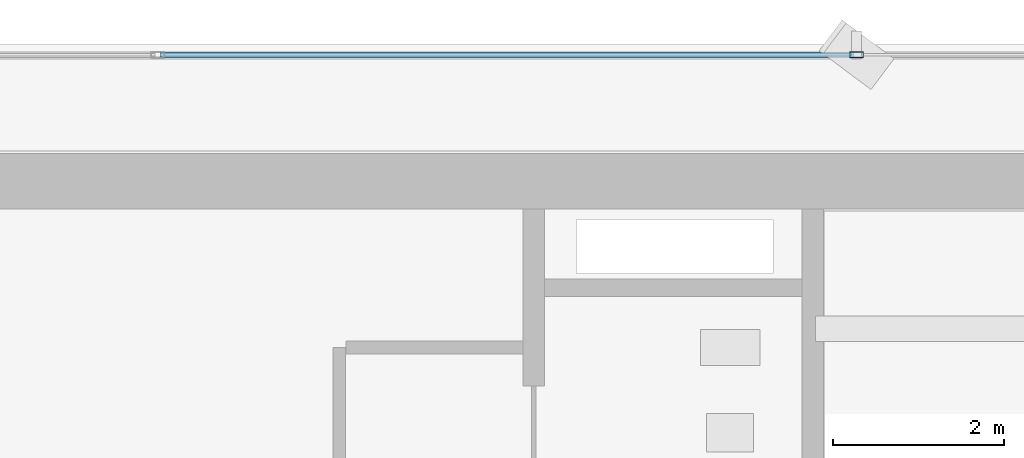
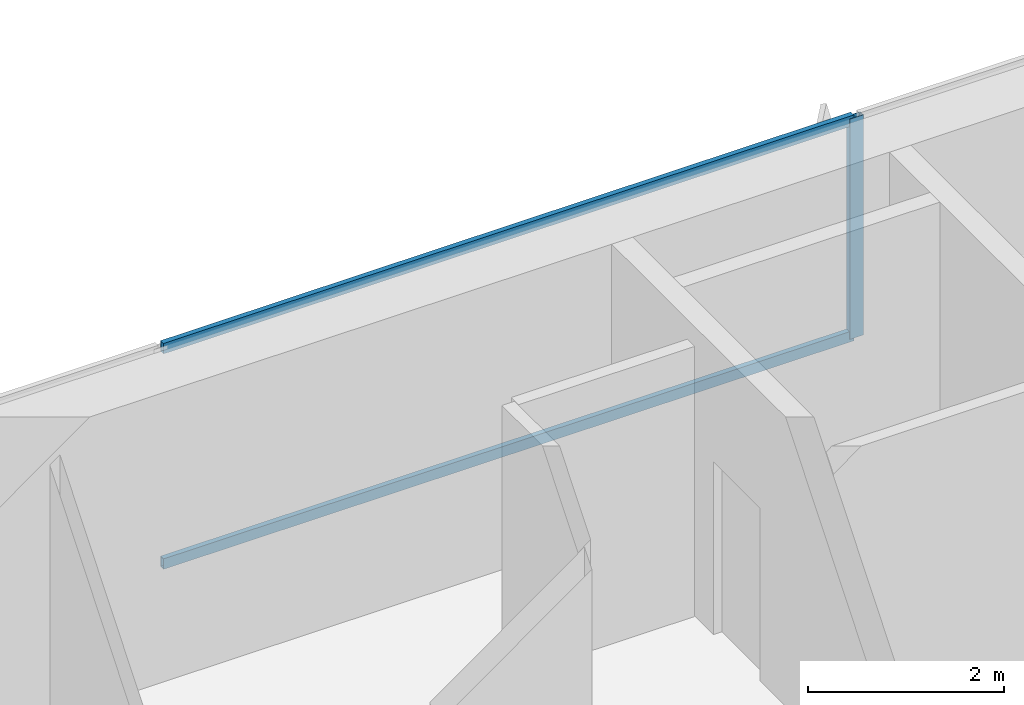
# One storey, part 25 of 36: 3 members, 1 element without a shape of its own.
"""IFC4 building model written with IfcOpenShell, lengths in metres."""

from ifc_helpers import new_model, si_unit, direction, frame, origin, origin_2d, place, context, subcontext, project, spatial, hollow_rectangle, extrude, source, transform, mapped, material, layer, layer_set, material_profile, profile_set, type_object, element, aggregate, save


model = new_model("IFC4")

# Units and contexts
model_context = context("Model", 3, precision=1e-05, world=origin(), true_north=direction((0.0, 1.0)))
body_context = subcontext(model_context, "Body", "Model", "MODEL_VIEW")
ifc_project = project(units=[si_unit("LENGTHUNIT", "METRE"), si_unit("AREAUNIT", "SQUARE_METRE"), si_unit("VOLUMEUNIT", "CUBIC_METRE"), si_unit("PLANEANGLEUNIT", "RADIAN"), si_unit("MASSUNIT", "GRAM", prefix="KILO")], contexts=[model_context])

# Site, building, storey
site_placement = place(None, origin())
site = spatial("IfcSite", under=ifc_project, at=site_placement, CompositionType="ELEMENT")
building_placement = place(site_placement, origin())
building = spatial("IfcBuilding", under=site, at=building_placement, Name="Sumidabori Civic Tower", CompositionType="ELEMENT")
storey_placement = place(building_placement, frame((0.0, 0.0, 113.60009765625)))
storey = spatial("IfcBuildingStorey", under=building, at=storey_placement, Name="L29", CompositionType="ELEMENT", Elevation=113.60009765625)

# Curtain wall, members
ifc_material = material(Name="Anodised Bronze Aluminium AW-6063-T6", Category="aluminium")
ifc_layer = layer(ifc_material, 0.179931640625, Name="Anodised Bronze Aluminium AW-6063-T6")
ifc_layer_set = layer_set([ifc_layer], Name="Anodised Bronze Aluminium AW-6063-T6")
curtain_wall_type = type_object("IfcCurtainWallType", Name="CW-SYS-3", PredefinedType="NOTDEFINED", material=ifc_layer_set)
curtain_wall_placement = place(storey_placement, origin())
curtain_wall = element("IfcCurtainWall", 1, at=curtain_wall_placement, inside=storey, type_object=curtain_wall_type, Name="Curtain Wall CW:L29:R07", PredefinedType="NOTDEFINED")
ifc_material_profile_1 = material_profile(ifc_material, hollow_rectangle(XDim=0.06494140625, YDim=0.159912109375, WallThickness=0.0048828125, at=origin_2d()), Name="ALU MULLION 160x65")
ifc_profile_set_1 = profile_set([ifc_material_profile_1], Name="Anodised Bronze Aluminium AW-6063-T6")
member_type_1 = type_object("IfcMemberType", Name="CW-MUL-160", PredefinedType="MULLION", material=ifc_profile_set_1)
shared_shape_1 = source(origin(), body_context, "Body", "SweptSolid", [
    extrude(hollow_rectangle(XDim=0.06494140625, YDim=0.159912109375, WallThickness=0.0048828125, at=origin_2d()), origin(), (0.0, 0.0, 1.0), 2.739990234375),
])
member_1_placement = place(storey_placement, frame((12.281982421875, 25.280029296875, 0.0), z_axis=(0.0, 0.0, 1.0), x_axis=(0.0, -1.0, 0.0)))
member_1 = element("IfcMember", 2, at=member_1_placement, type_object=member_type_1, Name="CW-3 mullion 2", PredefinedType="MULLION", context=body_context, shape_type="MappedRepresentation", body=[
    mapped(shared_shape_1, transform((0.0, 0.0, 0.0), x_axis=(1.0, 0.0, 0.0), y_axis=(0.0, 1.0, 0.0), z_axis=(0.0, 0.0, 1.0), scale=1.0)),
])
ifc_material_profile_2 = material_profile(ifc_material, hollow_rectangle(XDim=0.06005859375, YDim=0.1298828125, WallThickness=0.0048828125, at=origin_2d()), Name="ALU TRANSOM 130x60")
ifc_profile_set_2 = profile_set([ifc_material_profile_2], Name="Anodised Bronze Aluminium AW-6063-T6")
member_type_2 = type_object("IfcMemberType", Name="CW-TRN-130", PredefinedType="USERDEFINED", material=ifc_profile_set_2)
shared_shape_2 = source(origin(), body_context, "Body", "SweptSolid", [
    extrude(hollow_rectangle(XDim=0.06005859375, YDim=0.1298828125, WallThickness=0.0048828125, at=origin_2d()), origin(), (0.0, 0.0, 1.0), 8.123046875),
])
member_2_placement = place(storey_placement, frame((12.24951171875, 25.280029296875, 0.02978515625), z_axis=(-1.0, 0.0, 0.0), x_axis=(0.0, -1.0, 0.0)))
member_2 = element("IfcMember", 3, at=member_2_placement, type_object=member_type_2, Name="CW-3 transom 2.1", ObjectType="TRANSOM", PredefinedType="USERDEFINED", context=body_context, shape_type="MappedRepresentation", body=[
    mapped(shared_shape_2, transform((0.0, 0.0, 0.0), x_axis=(1.0, 0.0, 0.0), y_axis=(0.0, 1.0, 0.0), z_axis=(0.0, 0.0, 1.0), scale=1.0)),
])
member_3_placement = place(storey_placement, frame((12.24951171875, 25.280029296875, 2.7099609375), z_axis=(-1.0, 0.0, 0.0), x_axis=(0.0, -1.0, 0.0)))
member_3 = element("IfcMember", 4, at=member_3_placement, type_object=member_type_2, Name="CW-3 transom 2.2", ObjectType="TRANSOM", PredefinedType="USERDEFINED", context=body_context, shape_type="MappedRepresentation", body=[
    mapped(shared_shape_2, transform((0.0, 0.0, 0.0), x_axis=(1.0, 0.0, 0.0), y_axis=(0.0, 1.0, 0.0), z_axis=(0.0, 0.0, 1.0), scale=1.0)),
])
aggregate(curtain_wall, [member_1, member_2, member_3])

save(model, "model.ifc")
